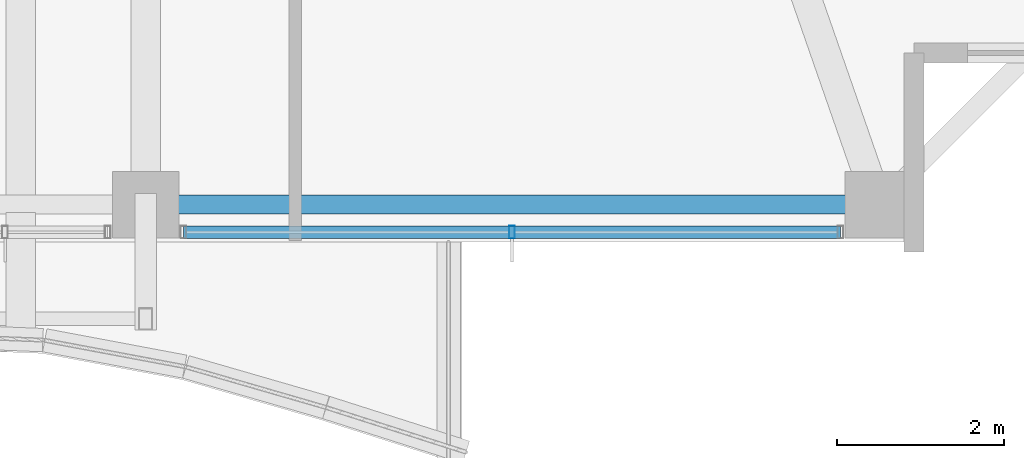
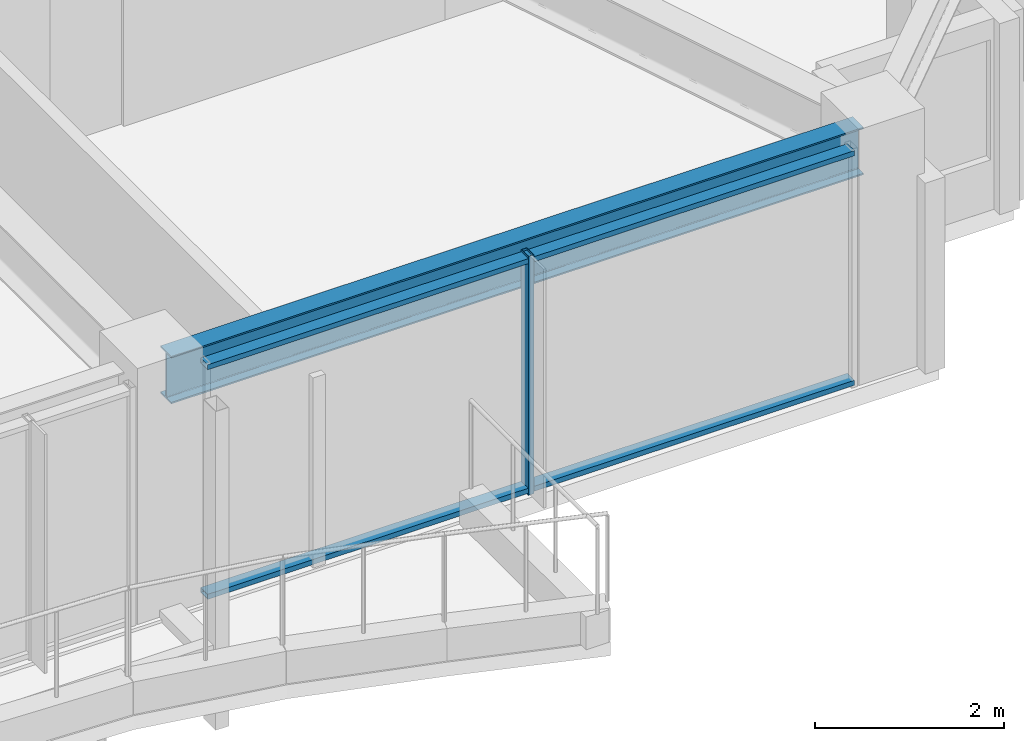
# One storey, part 6 of 38: 3 members, 1 beam, 1 element without a shape of its own.
"""IFC4 building model written with IfcOpenShell, lengths in metres."""

import ifcopenshell
import ifcopenshell.guid

model = None  # the IFC model being written
_history = None  # IfcOwnerHistory: only IFC2X3 demands one
_inside = {}  # id of a spatial element -> (the spatial element, [elements in it])
_under = {}  # id of a project, library or spatial element -> (it, [spatial elements below it])
_declared = {}  # id of a project -> (the project, [libraries it declares])
_typed = {}  # id of a type object -> (the type object, [elements of that type])
_made_of = {}  # id of a material, layer set ... -> (it, [elements and type objects made of it])


def new_model(schema):
    """Start an empty IFC model of exactly this schema.

    Asked for "IFC4X3", IfcOpenShell would pick the latest addendum, in which some entities
    have other attributes; the version numbers below select the first issue.
    IFC2X3 requires an IfcOwnerHistory on every rooted entity: one is made here for all.
    """
    global model, _history
    if schema == "IFC4X3":
        model = ifcopenshell.file(schema_version=(4, 3, 0, 0))
    else:
        model = ifcopenshell.file(schema=schema)
    _inside.clear()
    _under.clear()
    _declared.clear()
    _typed.clear()
    _made_of.clear()
    _history = None
    if model.schema == "IFC2X3":
        org = make("IfcOrganization", Name="unknown")
        user = make(
            "IfcPersonAndOrganization",
            ThePerson=make("IfcPerson", FamilyName="unknown"),
            TheOrganization=org,
        )
        app = make(
            "IfcApplication",
            ApplicationDeveloper=org,
            Version="unknown",
            ApplicationFullName="unknown",
            ApplicationIdentifier="unknown",
        )
        _history = make(
            "IfcOwnerHistory",
            OwningUser=user,
            OwningApplication=app,
            ChangeAction="ADDED",
            CreationDate=0,
        )
    return model


def make(cls, **values):
    """One entity of the class cls with the attributes given. An attribute that is None is left unset."""
    return model.create_entity(
        cls, **{name: value for name, value in values.items() if value is not None}
    )


def rooted(cls, **values):
    """An entity with a GlobalId (a new one), such as an element, a storey or a relation."""
    return make(cls, GlobalId=ifcopenshell.guid.new(), OwnerHistory=_history, **values)


def si_unit(unit_type, name, prefix=None):
    """IfcSIUnit, for example si_unit("LENGTHUNIT", "METRE", prefix="MILLI")."""
    return make("IfcSIUnit", UnitType=unit_type, Prefix=prefix, Name=name)


def assignment(units):
    """IfcUnitAssignment: the units of a project."""
    return None if units is None else make("IfcUnitAssignment", Units=units)


def point(xyz):
    """IfcCartesianPoint."""
    return None if xyz is None else make("IfcCartesianPoint", Coordinates=xyz)


def direction(xyz):
    """IfcDirection."""
    return None if xyz is None else make("IfcDirection", DirectionRatios=xyz)


def frame(location, z_axis=None, x_axis=None):
    """IfcAxis2Placement3D, a coordinate frame: its origin and axes. An axis left out is left unset."""
    return make(
        "IfcAxis2Placement3D",
        Location=point(location),
        Axis=direction(z_axis),
        RefDirection=direction(x_axis),
    )


def frame_2d(location, x_axis=None):
    """IfcAxis2Placement2D, a coordinate frame in the plane: its origin and x axis."""
    return make(
        "IfcAxis2Placement2D", Location=point(location), RefDirection=direction(x_axis)
    )


def origin():
    """The frame at (0, 0, 0) with its axes left unset."""
    return frame((0.0, 0.0, 0.0))


def origin_2d():
    """The frame at (0, 0) in the plane with its x axis left unset."""
    return frame_2d((0.0, 0.0))


def place(relative_to, where):
    """IfcLocalPlacement: puts the frame where relative to a parent placement (None: the world)."""
    return make(
        "IfcLocalPlacement", PlacementRelTo=relative_to, RelativePlacement=where
    )


def context(
    kind, dimensions, precision=None, world=None, true_north=None, identifier=None
):
    """IfcGeometricRepresentationContext, for example the 3D "Model" context."""
    return make(
        "IfcGeometricRepresentationContext",
        ContextIdentifier=identifier,
        ContextType=kind,
        CoordinateSpaceDimension=dimensions,
        Precision=precision,
        WorldCoordinateSystem=world,
        TrueNorth=true_north,
    )


def subcontext(parent, identifier, kind, view, scale=None):
    """IfcGeometricRepresentationSubContext, for example "Body" below "Model"."""
    return make(
        "IfcGeometricRepresentationSubContext",
        ContextIdentifier=identifier,
        ContextType=kind,
        ParentContext=parent,
        TargetScale=scale,
        TargetView=view,
    )


def project(units=None, contexts=None):
    """IfcProject with its units and contexts."""
    return rooted(
        "IfcProject",
        Name="project",
        RepresentationContexts=contexts,
        UnitsInContext=assignment(units),
    )


def spatial(cls, under=None, at=None, **own):
    """A site, building, storey or space (cls), placed at a placement, below another one or the project."""
    s = rooted(cls, ObjectPlacement=at, **own)
    if under is not None:
        _under.setdefault(under.id(), (under, []))[1].append(s)
    return s


def profile(cls, at=None, kind="AREA", **sizes):
    """A parametric profile (cls). Its sizes go by their IFC names, for example OverallWidth=200.0."""
    return make(cls, ProfileType=kind, Position=at, **sizes)


def hollow_rectangle(**sizes):
    """IfcRectangleHollowProfileDef."""
    return profile("IfcRectangleHollowProfileDef", **sizes)


def i_section(**sizes):
    """IfcIShapeProfileDef."""
    return profile("IfcIShapeProfileDef", **sizes)


def extrude(swept, where, along, depth):
    """IfcExtrudedAreaSolid: the profile swept, set in the frame where, extruded along a direction by depth."""
    return make(
        "IfcExtrudedAreaSolid",
        SweptArea=swept,
        Position=where,
        ExtrudedDirection=direction(along),
        Depth=depth,
    )


def shape(context_of_items, identifier, shape_type, items):
    """IfcShapeRepresentation: the items that make up one representation, for example the "Body"."""
    return make(
        "IfcShapeRepresentation",
        ContextOfItems=context_of_items,
        RepresentationIdentifier=identifier,
        RepresentationType=shape_type,
        Items=items,
    )


def material(Name=None, Category=None):
    """IfcMaterial."""
    return make("IfcMaterial", Name=Name, Category=Category)


def material_profile(
    of_material, cross_section, Name=None, Category=None, Priority=None
):
    """IfcMaterialProfile: a cross section and its material."""
    return make(
        "IfcMaterialProfile",
        Name=Name,
        Material=of_material,
        Profile=cross_section,
        Priority=Priority,
        Category=Category,
    )


def profile_set(profiles, Name=None, composite=None):
    """IfcMaterialProfileSet."""
    return make(
        "IfcMaterialProfileSet",
        Name=Name,
        MaterialProfiles=profiles,
        CompositeProfile=composite,
    )


def made_of(thing, what):
    """Note that an element or type object is made of a material, layer set ...; save() writes the relation."""
    if what is not None:
        _made_of.setdefault(what.id(), (what, []))[1].append(thing)
    return thing


def type_object(cls, material=None, **own):
    """A type object (cls), such as IfcWallType, which elements share."""
    return made_of(rooted(cls, **own), material)


def element(
    cls,
    number,
    at=None,
    inside=None,
    cuts=None,
    type_object=None,
    material=None,
    context=None,
    identifier="Body",
    shape_type=None,
    held_by="IfcProductDefinitionShape",
    body=None,
    shapes=None,
    **own,
):
    """One element of the class cls, such as IfcWall. Its Tag is "e" and its number.

    at: its placement. inside: the storey or other place that contains it. cuts: it is an
    opening in that element (IfcRelVoidsElement). A single representation is given by context,
    identifier, shape_type and body (its items); several are given by shapes. held_by: the class
    of the entity that holds the representations. save() writes the other relations.
    """
    e = rooted(cls, Tag="e%d" % number, ObjectPlacement=at, **own)
    if body is not None:
        shapes = [shape(context, identifier, shape_type, body)]
    if shapes is not None:
        e.Representation = make(held_by, Representations=shapes)
    if inside is not None:
        _inside.setdefault(inside.id(), (inside, []))[1].append(e)
    if cuts is not None:
        rooted(
            "IfcRelVoidsElement", RelatingBuildingElement=cuts, RelatedOpeningElement=e
        )
    if type_object is not None:
        _typed.setdefault(type_object.id(), (type_object, []))[1].append(e)
    return made_of(e, material)


def aggregate(whole, parts):
    """IfcRelAggregates: a whole, such as a stair, and the parts it consists of."""
    return rooted("IfcRelAggregates", RelatingObject=whole, RelatedObjects=parts)


def save(model, path):
    """Write the relations noted so far, then the file.

    IfcRelAggregates (storeys below a building ...), IfcRelContainedInSpatialStructure (elements
    in a storey), IfcRelDefinesByType, IfcRelAssociatesMaterial and IfcRelDeclares: one each for
    every whole, place, type object, material and project.
    """
    for whole, parts in _under.values():
        aggregate(whole, parts)
    for where, things in _inside.values():
        rooted(
            "IfcRelContainedInSpatialStructure",
            RelatedElements=things,
            RelatingStructure=where,
        )
    for kind, things in _typed.values():
        rooted("IfcRelDefinesByType", RelatedObjects=things, RelatingType=kind)
    for what, things in _made_of.values():
        rooted("IfcRelAssociatesMaterial", RelatedObjects=things, RelatingMaterial=what)
    for by, libraries in _declared.values():
        rooted("IfcRelDeclares", RelatingContext=by, RelatedDefinitions=libraries)
    model.write(path)


model = new_model("IFC4")

# Units and contexts
model_context = context("Model", 3, precision=1e-05, world=origin(), true_north=direction((0.0, 1.0)))
body_context = subcontext(model_context, "Body", "Model", "MODEL_VIEW")
ifc_project = project(units=[si_unit("LENGTHUNIT", "METRE"), si_unit("AREAUNIT", "SQUARE_METRE"), si_unit("VOLUMEUNIT", "CUBIC_METRE"), si_unit("PLANEANGLEUNIT", "RADIAN"), si_unit("MASSUNIT", "GRAM", prefix="KILO")], contexts=[model_context])

# Site, building, storey
site_placement = place(None, origin())
site = spatial("IfcSite", under=ifc_project, at=site_placement, CompositionType="ELEMENT")
building_placement = place(site_placement, origin())
building = spatial("IfcBuilding", under=site, at=building_placement, Name="Kolvaren Belvedere", CompositionType="ELEMENT")
storey_placement = place(building_placement, frame((0.0, 0.0, 206.39990234375)))
storey = spatial("IfcBuildingStorey", under=building, at=storey_placement, Name="L60", CompositionType="ELEMENT", Elevation=206.39990234375)

# Beam
ifc_material_1 = material(Name="Structural steel ASTM A992 Grade 50", Category="steel")
ifc_material_profile_1 = material_profile(ifc_material_1, i_section(OverallWidth=0.22900390625, OverallDepth=0.612060546875, WebThickness=0.011962890625, FlangeThickness=0.01953125, FilletRadius=0.01806640625, at=origin_2d()), Name="W24X84")
ifc_profile_set_1 = profile_set([ifc_material_profile_1], Name="Structural steel ASTM A992 Grade 50")
beam_type = type_object("IfcBeamType", Name="BM-SPAN-W24X84", PredefinedType="SPANDREL", material=ifc_profile_set_1)
beam_placement = place(storey_placement, frame((4.780029296875, -19.949951171875, 2.774169921875), z_axis=(1.0, 0.0, 0.0), x_axis=(0.0, 1.0, 0.0)))
element("IfcBeam", 1, at=beam_placement, inside=storey, type_object=beam_type, Name="L60 Perimeter Spandrel S3-S4", PredefinedType="SPANDREL", context=body_context, shape_type="SweptSolid", body=[
    extrude(i_section(OverallWidth=0.22900390625, OverallDepth=0.612060546875, WebThickness=0.011962890625, FlangeThickness=0.01953125, FilletRadius=0.01806640625, at=origin_2d()), origin(), (0.0, 0.0, 1.0), 8.43994140625),
])

# Curtain wall, members
ifc_material_2 = material(Name="Anodised pale-metal aluminium AA 6063-T6", Category="aluminium")
curtain_wall_type = type_object("IfcCurtainWallType", Name="CW-Z5-HIGH", PredefinedType="NOTDEFINED", material=ifc_material_2)
curtain_wall_placement = place(storey_placement, origin())
curtain_wall = element("IfcCurtainWall", 2, at=curtain_wall_placement, inside=storey, type_object=curtain_wall_type, Name="L60 Unitised Curtain Wall FCW-L60-S1-B1", PredefinedType="NOTDEFINED")
ifc_material_3 = material(Name="Anodised pale-metal aluminium AA 6063-T6", Category="aluminium")
ifc_material_profile_2 = material_profile(ifc_material_3, hollow_rectangle(XDim=0.070068359375, YDim=0.14990234375, WallThickness=0.004150390625, at=origin_2d()), Name="ALU-MUL-150X70")
ifc_profile_set_2 = profile_set([ifc_material_profile_2], Name="Anodised pale-metal aluminium AA 6063-T6")
member_type_1 = type_object("IfcMemberType", Name="CW-MUL-150", PredefinedType="MULLION", material=ifc_profile_set_2)
member_1_placement = place(storey_placement, frame((9.0, -20.280029296875, 0.0), z_axis=(0.0, 0.0, 1.0), x_axis=(1.0, 0.0, 0.0)))
member_1 = element("IfcMember", 3, at=member_1_placement, type_object=member_type_1, Name="FCW-L60-S1-B1 Unitised Mullion 2", PredefinedType="MULLION", context=body_context, shape_type="SweptSolid", body=[
    extrude(hollow_rectangle(XDim=0.070068359375, YDim=0.14990234375, WallThickness=0.004150390625, at=origin_2d()), origin(), (0.0, 0.0, 1.0), 3.080078125),
])
ifc_material_4 = material(Name="Anodised pale-metal aluminium AA 6063-T6", Category="aluminium")
ifc_material_profile_3 = material_profile(ifc_material_4, hollow_rectangle(XDim=0.06494140625, YDim=0.14990234375, WallThickness=0.00390625, at=origin_2d()), Name="ALU-TRN-150X65")
ifc_profile_set_3 = profile_set([ifc_material_profile_3], Name="Anodised pale-metal aluminium AA 6063-T6")
member_type_2 = type_object("IfcMemberType", Name="CW-TRN-150", PredefinedType="USERDEFINED", material=ifc_profile_set_3)
member_2_placement = place(storey_placement, frame((12.945068359375, -20.280029296875, 0.06005859375), z_axis=(-1.0, 0.0, 0.0), x_axis=(0.0, 0.0, 1.0)))
member_2 = element("IfcMember", 4, at=member_2_placement, type_object=member_type_2, Name="FCW-L60-S1-B1 Sill Transom", ObjectType="TRANSOM", PredefinedType="USERDEFINED", context=body_context, shape_type="SweptSolid", body=[
    extrude(hollow_rectangle(XDim=0.06494140625, YDim=0.14990234375, WallThickness=0.00390625, at=origin_2d()), origin(), (0.0, 0.0, 1.0), 7.89013671875),
])
member_3_placement = place(storey_placement, frame((12.945068359375, -20.280029296875, 3.02001953125), z_axis=(-1.0, 0.0, 0.0), x_axis=(0.0, 0.0, 1.0)))
member_3 = element("IfcMember", 5, at=member_3_placement, type_object=member_type_2, Name="FCW-L60-S1-B1 Head Transom", ObjectType="TRANSOM", PredefinedType="USERDEFINED", context=body_context, shape_type="SweptSolid", body=[
    extrude(hollow_rectangle(XDim=0.06494140625, YDim=0.14990234375, WallThickness=0.00390625, at=origin_2d()), origin(), (0.0, 0.0, 1.0), 7.89013671875),
])
aggregate(curtain_wall, [member_1, member_2, member_3])

save(model, "model.ifc")
